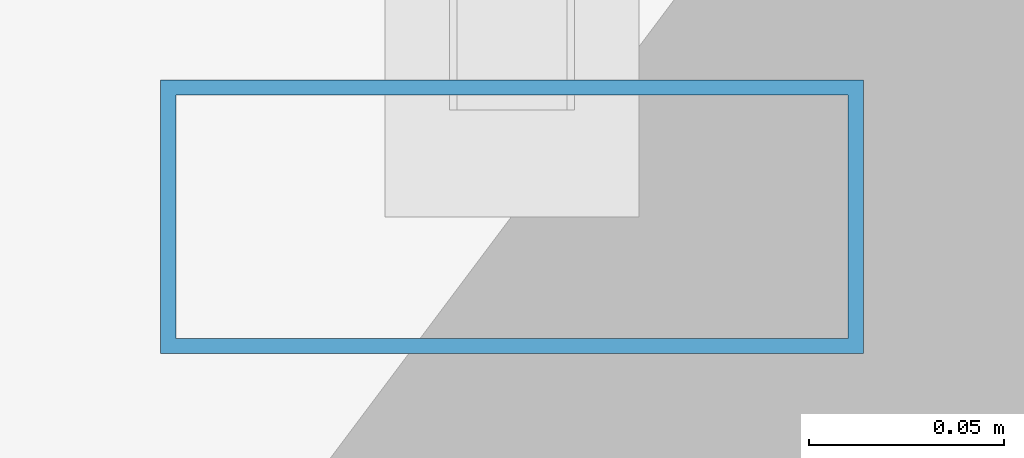
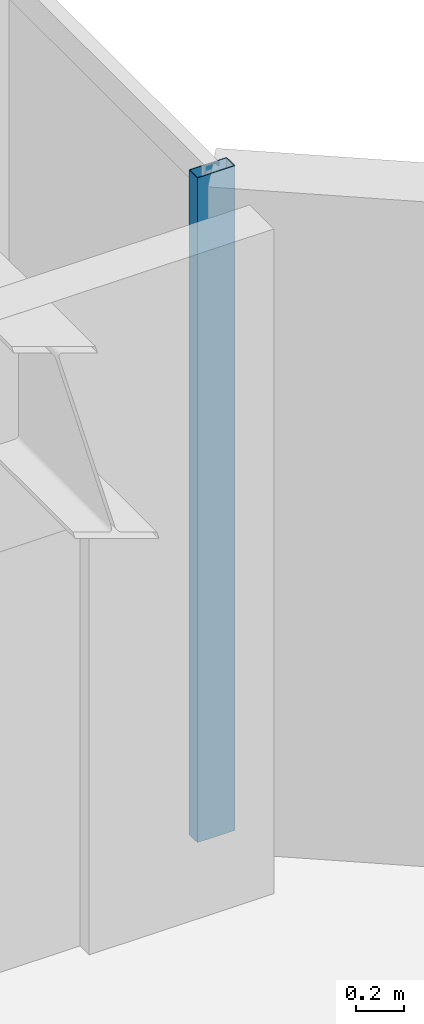
# One storey, part 15 of 27: 1 member, 1 element without a shape of its own.
"""IFC4 building model written with IfcOpenShell, lengths in metres."""

from ifc_helpers import new_model, si_unit, direction, frame, origin, origin_2d, place, context, subcontext, project, spatial, hollow_rectangle, extrude, material, layer, layer_set, material_profile, profile_set, type_object, element, aggregate, save


model = new_model("IFC4")

# Units and contexts
model_context = context("Model", 3, precision=1e-05, world=origin(), true_north=direction((0.0, 1.0)))
body_context = subcontext(model_context, "Body", "Model", "MODEL_VIEW")
ifc_project = project(units=[si_unit("LENGTHUNIT", "METRE"), si_unit("AREAUNIT", "SQUARE_METRE"), si_unit("VOLUMEUNIT", "CUBIC_METRE"), si_unit("PLANEANGLEUNIT", "RADIAN"), si_unit("MASSUNIT", "GRAM", prefix="KILO")], contexts=[model_context])

# Site, building, storey
site_placement = place(None, origin())
site = spatial("IfcSite", under=ifc_project, at=site_placement, CompositionType="ELEMENT")
building_placement = place(site_placement, origin())
building = spatial("IfcBuilding", under=site, at=building_placement, Name="Hatsunagi Terrace Concourse", CompositionType="ELEMENT")
storey_placement = place(building_placement, frame((0.0, 0.0, 163.64990234375)))
storey = spatial("IfcBuildingStorey", under=building, at=storey_placement, Name="L43", CompositionType="ELEMENT", Elevation=163.64990234375)

# Curtain wall, member
ifc_material_1 = material(Name="Anodised Aluminium Alloy 6063-T5", Category="aluminium")
ifc_layer = layer(ifc_material_1, 0.199951171875)
ifc_layer_set = layer_set([ifc_layer], Name="OfficeZone1_CW03")
curtain_wall_type = type_object("IfcCurtainWallType", Name="OfficeZone1_CW03", PredefinedType="NOTDEFINED", material=ifc_layer_set)
curtain_wall_placement = place(storey_placement, origin())
curtain_wall = element("IfcCurtainWall", 1, at=curtain_wall_placement, inside=storey, type_object=curtain_wall_type, Name="Unitised Curtain Wall CW-03 CW-L43-13", PredefinedType="NOTDEFINED")
ifc_material_2 = material(Name="Anodised Aluminium Alloy 6063-T5", Category="aluminium")
ifc_material_profile = material_profile(ifc_material_2, hollow_rectangle(XDim=0.070068359375, YDim=0.179931640625, WallThickness=0.00390625, at=origin_2d()), Name="ALU-MUL-180x70x4")
ifc_profile_set = profile_set([ifc_material_profile], Name="Anodised Aluminium Alloy 6063-T5")
member_type = type_object("IfcMemberType", Name="CurtainWallMullion_180x70", PredefinedType="MULLION", material=ifc_profile_set)
member_placement = place(storey_placement, frame((44.860107421875, 40.72998046875, 0.0), z_axis=(0.0, 0.0, 1.0), x_axis=(0.0, -1.0, 0.0)))
member = element("IfcMember", 2, at=member_placement, type_object=member_type, Name="Curtain Wall Mullion MUL-02", PredefinedType="MULLION", context=body_context, shape_type="SweptSolid", body=[
    extrude(hollow_rectangle(XDim=0.070068359375, YDim=0.179931640625, WallThickness=0.00390625, at=origin_2d()), origin(), (0.0, 0.0, 1.0), 3.35009765625),
])
aggregate(curtain_wall, [member])

save(model, "model.ifc")
